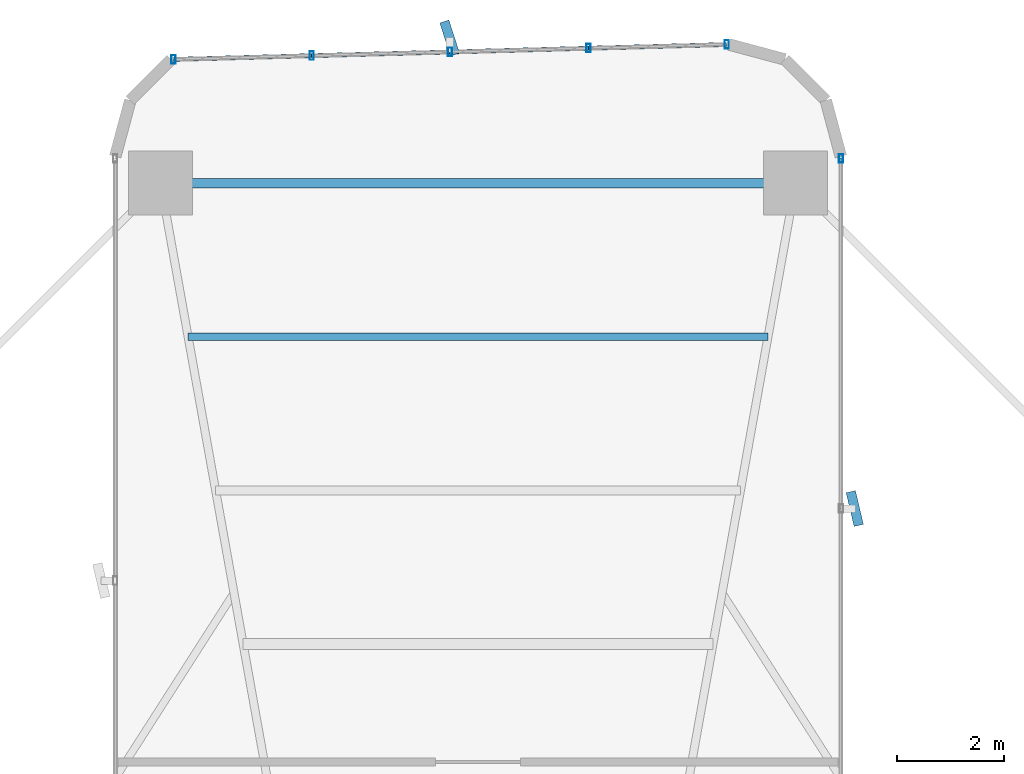
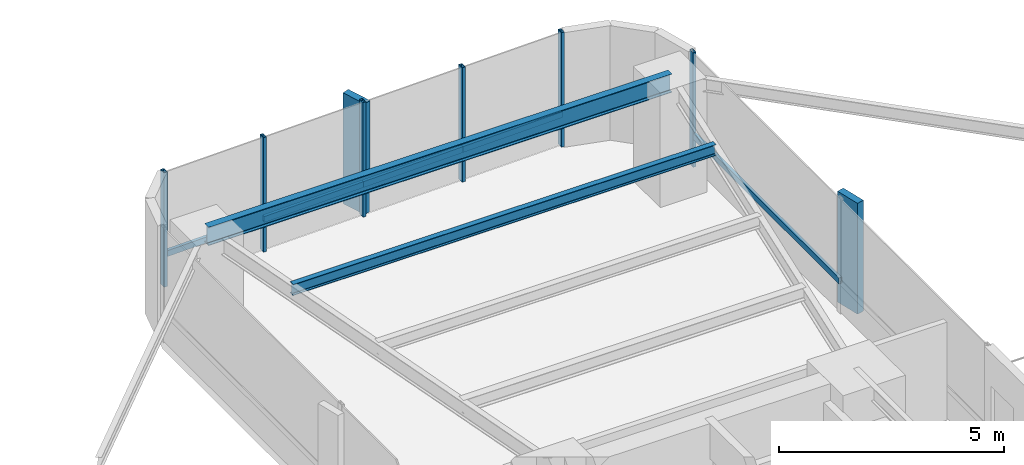
# One storey, part 19 of 25: 13 members, 2 beams, 2 elements without a shape of their own.
"""IFC4 building model written with IfcOpenShell, lengths in metres."""

from ifc_helpers import new_model, si_unit, direction, frame, origin, origin_2d, place, context, subcontext, project, spatial, rectangle, hollow_rectangle, i_section, extrude, source, transform, mapped, material, material_profile, profile_set, type_object, element, aggregate, save


model = new_model("IFC4")

# Units and contexts
model_context = context("Model", 3, precision=1e-05, world=origin(), true_north=direction((0.0, 1.0)))
body_context = subcontext(model_context, "Body", "Model", "MODEL_VIEW")
ifc_project = project(units=[si_unit("LENGTHUNIT", "METRE"), si_unit("AREAUNIT", "SQUARE_METRE"), si_unit("VOLUMEUNIT", "CUBIC_METRE"), si_unit("PLANEANGLEUNIT", "RADIAN"), si_unit("MASSUNIT", "GRAM", prefix="KILO")], contexts=[model_context])

# Site, building, storey
site_placement = place(None, origin())
site = spatial("IfcSite", under=ifc_project, at=site_placement, CompositionType="ELEMENT")
building_placement = place(site_placement, origin())
building = spatial("IfcBuilding", under=site, at=building_placement, Name="Sahyath Konkavel Grand Hotel", CompositionType="ELEMENT")
storey_placement = place(building_placement, frame((0.0, 0.0, 33.14990234375)))
storey = spatial("IfcBuildingStorey", under=building, at=storey_placement, Name="L08", CompositionType="ELEMENT", Elevation=33.14990234375)

# Beams
ifc_material_1 = material(Name="Steel E350", Category="steel")
ifc_material_profile_1 = material_profile(ifc_material_1, i_section(OverallWidth=0.179931640625, OverallDepth=0.5, WebThickness=0.01025390625, FlangeThickness=0.01708984375, FilletRadius=0.01708984375, at=origin_2d()), Name="ISMB 500")
ifc_profile_set_1 = profile_set([ifc_material_profile_1], Name="Steel E350")
beam_type_1 = type_object("IfcBeamType", Name="BM-ISMB500", PredefinedType="BEAM", material=ifc_profile_set_1)
shared_shape_1 = source(origin(), body_context, "Body", "SweptSolid", [
    extrude(i_section(OverallWidth=0.179931640625, OverallDepth=0.5, WebThickness=0.01025390625, FlangeThickness=0.01708984375, FilletRadius=0.01708984375, at=origin_2d()), origin(), (0.0, 0.0, 1.0), 11.89990234375),
])
beam_1_placement = place(storey_placement, frame((5.949951171875, 22.199951171875, 2.860107421875), z_axis=(-1.0, 0.0, 0.0), x_axis=(0.0, -1.0, 0.0)))
element("IfcBeam", 1, at=beam_1_placement, inside=storey, type_object=beam_type_1, Name="L08 Wing Tip Edge Beam N", PredefinedType="BEAM", context=body_context, shape_type="MappedRepresentation", body=[
    mapped(shared_shape_1, transform((0.0, 0.0, 0.0), scale=1.0)),
])
ifc_material_profile_2 = material_profile(ifc_material_1, i_section(OverallWidth=0.139892578125, OverallDepth=0.300048828125, WebThickness=0.0078125, FlangeThickness=0.01318359375, FilletRadius=0.013916015625, at=origin_2d()), Name="ISMB 300")
ifc_profile_set_2 = profile_set([ifc_material_profile_2], Name="Steel E350")
beam_type_2 = type_object("IfcBeamType", Name="BM-ISMB300", PredefinedType="BEAM", material=ifc_profile_set_2)
shared_shape_2 = source(origin(), body_context, "Body", "SweptSolid", [
    extrude(i_section(OverallWidth=0.139892578125, OverallDepth=0.300048828125, WebThickness=0.0078125, FlangeThickness=0.01318359375, FilletRadius=0.013916015625, at=origin_2d()), origin(), (0.0, 0.0, 1.0), 10.8681640625),
])
beam_2_placement = place(storey_placement, frame((5.43408203125, 19.320068359375, 2.960205078125), z_axis=(-1.0, 0.0, 0.0), x_axis=(0.0, -1.0, 0.0)))
element("IfcBeam", 2, at=beam_2_placement, inside=storey, type_object=beam_type_2, Name="L08 Secondary Floor Beam N-3", PredefinedType="BEAM", context=body_context, shape_type="MappedRepresentation", body=[
    mapped(shared_shape_2, transform((0.0, 0.0, 0.0), scale=1.0)),
])

# Curtain wall, member
ifc_material_2 = material(Name="Anodised Bronze Aluminium & Low-E Glazing", Category="aluminium")
curtain_wall_type = type_object("IfcCurtainWallType", Name="CW-ZONE1", PredefinedType="NOTDEFINED", material=ifc_material_2)
curtain_wall_1_placement = place(storey_placement, origin())
curtain_wall_1 = element("IfcCurtainWall", 3, at=curtain_wall_1_placement, inside=storey, type_object=curtain_wall_type, Name="L08 Unitised Curtain Wall F8", PredefinedType="NOTDEFINED")
ifc_material_3 = material(Name="Warm Buff Sandstone Cladding on Concrete C50/60", Category="masonry")
ifc_material_profile_3 = material_profile(ifc_material_3, rectangle(XDim=0.179931640625, YDim=0.64990234375, at=origin_2d()), Name="FIN 180x650")
ifc_profile_set_3 = profile_set([ifc_material_profile_3], Name="Warm Buff Sandstone Cladding on Concrete C50/60")
member_type_1 = type_object("IfcMemberType", Name="FIN-SANDSTONE-650", PredefinedType="MULLION", material=ifc_profile_set_3)
shared_shape_3 = source(origin(), body_context, "Body", "SweptSolid", [
    extrude(rectangle(XDim=0.179931640625, YDim=0.64990234375, at=origin_2d()), origin(), (0.0, 0.0, 1.0), 3.010009765625),
])
member_1_placement = place(storey_placement, frame((7.06005859375, 16.10009765625, 0.050048828125), z_axis=(0.0, 0.0, 1.0), x_axis=(0.973138706701, 0.230219585439, 0.0)))
member_1 = element("IfcMember", 4, at=member_1_placement, type_object=member_type_1, Name="L08 Sandstone Vertical Solar Fin FIN F8-1", PredefinedType="MULLION", context=body_context, shape_type="MappedRepresentation", body=[
    mapped(shared_shape_3, transform((0.0, 0.0, 0.0), scale=1.0)),
])

# Curtain wall, members
curtain_wall_2_placement = place(storey_placement, origin())
curtain_wall_2 = element("IfcCurtainWall", 5, at=curtain_wall_2_placement, inside=storey, type_object=curtain_wall_type, Name="L08 Unitised Curtain Wall F12", PredefinedType="NOTDEFINED")
member_2_placement = place(storey_placement, frame((-0.531982421875, 24.919189453125, 0.050048828125), z_axis=(0.0, 0.0, 1.0), x_axis=(0.951164325631, 0.308684994204, 0.0)))
member_2 = element("IfcMember", 6, at=member_2_placement, type_object=member_type_1, Name="L08 Sandstone Vertical Solar Fin FIN F12-2", PredefinedType="MULLION", context=body_context, shape_type="MappedRepresentation", body=[
    mapped(shared_shape_3, transform((0.0, 0.0, 0.0), scale=1.0)),
])
ifc_material_4 = material(Name="Anodised Bronze Aluminium", Category="aluminium")
ifc_material_profile_4 = material_profile(ifc_material_4, hollow_rectangle(XDim=0.080078125, YDim=0.159912109375, WallThickness=0.006103515625, at=origin_2d()), Name="RHS 160x80x6")
ifc_profile_set_4 = profile_set([ifc_material_profile_4], Name="Anodised Bronze Aluminium")
member_type_2 = type_object("IfcMemberType", Name="CW-TRN-160", PredefinedType="USERDEFINED", material=ifc_profile_set_4)
shared_shape_4 = source(origin(), body_context, "Body", "SweptSolid", [
    extrude(hollow_rectangle(XDim=0.080078125, YDim=0.159912109375, WallThickness=0.006103515625, at=origin_2d()), origin(), (0.0, 0.0, 1.0), 2.593505859375),
])
member_3_placement = place(storey_placement, frame((4.659912109375, 24.798828125, 0.85009765625), z_axis=(-0.999637507825, -0.026923093252, 0.0), x_axis=(0.026923093252, -0.999637507825, 0.0)))
member_3 = element("IfcMember", 7, at=member_3_placement, type_object=member_type_2, Name="L08 Curtain Wall Transom F12-0-spandrel", ObjectType="TRANSOM", PredefinedType="USERDEFINED", context=body_context, shape_type="MappedRepresentation", body=[
    mapped(shared_shape_4, transform((0.0, 0.0, 0.0), scale=1.0)),
])
member_4_placement = place(storey_placement, frame((-0.52490234375, 24.6591796875, 0.85009765625), z_axis=(-0.999640036937, -0.02682902444, 0.0), x_axis=(0.02682902444, -0.999640036937, 0.0)))
member_4 = element("IfcMember", 8, at=member_4_placement, type_object=member_type_2, Name="L08 Curtain Wall Transom F12-2-spandrel", ObjectType="TRANSOM", PredefinedType="USERDEFINED", context=body_context, shape_type="MappedRepresentation", body=[
    mapped(shared_shape_4, transform((0.0, 0.0, 0.0), scale=1.0)),
])
member_5_placement = place(storey_placement, frame((-3.117431640625, 24.589599609375, 0.85009765625), z_axis=(-0.999637507825, -0.026923093252, 0.0), x_axis=(0.026923093252, -0.999637507825, 0.0)))
member_5 = element("IfcMember", 9, at=member_5_placement, type_object=member_type_2, Name="L08 Curtain Wall Transom F12-3-spandrel", ObjectType="TRANSOM", PredefinedType="USERDEFINED", context=body_context, shape_type="MappedRepresentation", body=[
    mapped(shared_shape_4, transform((0.0, 0.0, 0.0), scale=1.0)),
])
shared_shape_5 = source(origin(), body_context, "Body", "SweptSolid", [
    extrude(hollow_rectangle(XDim=0.080078125, YDim=0.159912109375, WallThickness=0.006103515625, at=origin_2d()), origin(), (0.0, 0.0, 1.0), 2.59326171875),
])
member_6_placement = place(storey_placement, frame((2.0673828125, 24.72900390625, 0.85009765625), z_axis=(-0.99963743958, -0.026925627022, 0.0), x_axis=(0.026925627022, -0.99963743958, 0.0)))
member_6 = element("IfcMember", 10, at=member_6_placement, type_object=member_type_2, Name="L08 Curtain Wall Transom F12-1-spandrel", ObjectType="TRANSOM", PredefinedType="USERDEFINED", context=body_context, shape_type="MappedRepresentation", body=[
    mapped(shared_shape_5, transform((0.0, 0.0, 0.0), scale=1.0)),
])

# Member
ifc_material_profile_5 = material_profile(ifc_material_4, hollow_rectangle(XDim=0.080078125, YDim=0.159912109375, WallThickness=0.006103515625, at=origin_2d()), Name="RHS 160x80x6")
ifc_profile_set_5 = profile_set([ifc_material_profile_5], Name="Anodised Bronze Aluminium")
member_type_3 = type_object("IfcMemberType", Name="CW-MUL-160", PredefinedType="MULLION", material=ifc_profile_set_5)
shared_shape_6 = source(origin(), body_context, "Body", "SweptSolid", [
    extrude(hollow_rectangle(XDim=0.080078125, YDim=0.159912109375, WallThickness=0.006103515625, at=origin_2d()), origin(), (0.0, 0.0, 1.0), 3.110107421875),
])
member_7_placement = place(storey_placement, frame((6.800048828125, 22.659912109375, 0.0), z_axis=(0.0, 0.0, 1.0), x_axis=(1.0, 0.0, 0.0)))
member_7 = element("IfcMember", 11, at=member_7_placement, type_object=member_type_3, Name="L08 Curtain Wall Mullion F8-2", PredefinedType="MULLION", context=body_context, shape_type="MappedRepresentation", body=[
    mapped(shared_shape_6, transform((0.0, 0.0, 0.0), scale=1.0)),
])

member_8_placement = place(storey_placement, frame((4.659912109375, 24.798828125, 0.0), z_axis=(0.0, 0.0, 1.0), x_axis=(1.0, 0.0, 0.0)))
member_8 = element("IfcMember", 12, at=member_8_placement, type_object=member_type_3, Name="L08 Curtain Wall Mullion F12-0", PredefinedType="MULLION", context=body_context, shape_type="MappedRepresentation", body=[
    mapped(shared_shape_6, transform((0.0, 0.0, 0.0), scale=1.0)),
])

member_9_placement = place(storey_placement, frame((2.0673828125, 24.72900390625, 0.0), z_axis=(0.0, 0.0, 1.0), x_axis=(1.0, 0.0, 0.0)))
member_9 = element("IfcMember", 13, at=member_9_placement, type_object=member_type_3, Name="L08 Curtain Wall Mullion F12-1", PredefinedType="MULLION", context=body_context, shape_type="MappedRepresentation", body=[
    mapped(shared_shape_6, transform((0.0, 0.0, 0.0), scale=1.0)),
])

member_10_placement = place(storey_placement, frame((-0.52490234375, 24.6591796875, 0.0), z_axis=(0.0, 0.0, 1.0), x_axis=(1.0, 0.0, 0.0)))
member_10 = element("IfcMember", 14, at=member_10_placement, type_object=member_type_3, Name="L08 Curtain Wall Mullion F12-2", PredefinedType="MULLION", context=body_context, shape_type="MappedRepresentation", body=[
    mapped(shared_shape_6, transform((0.0, 0.0, 0.0), scale=1.0)),
])

member_11_placement = place(storey_placement, frame((-3.117431640625, 24.589599609375, 0.0), z_axis=(0.0, 0.0, 1.0), x_axis=(1.0, 0.0, 0.0)))
member_11 = element("IfcMember", 15, at=member_11_placement, type_object=member_type_3, Name="L08 Curtain Wall Mullion F12-3", PredefinedType="MULLION", context=body_context, shape_type="MappedRepresentation", body=[
    mapped(shared_shape_6, transform((0.0, 0.0, 0.0), scale=1.0)),
])

member_12_placement = place(storey_placement, frame((-5.7099609375, 24.519775390625, 0.0), z_axis=(0.0, 0.0, 1.0), x_axis=(1.0, 0.0, 0.0)))
member_12 = element("IfcMember", 16, at=member_12_placement, type_object=member_type_3, Name="L08 Curtain Wall Mullion F12-4", PredefinedType="MULLION", context=body_context, shape_type="MappedRepresentation", body=[
    mapped(shared_shape_6, transform((0.0, 0.0, 0.0), scale=1.0)),
])

aggregate(curtain_wall_2, [member_8, member_9, member_10, member_2, member_11, member_12, member_3, member_6, member_4, member_5])

shared_shape_7 = source(origin(), body_context, "Body", "SweptSolid", [
    extrude(hollow_rectangle(XDim=0.080078125, YDim=0.159912109375, WallThickness=0.006103515625, at=origin_2d()), origin(), (0.0, 0.0, 1.0), 6.559814453125),
])
member_13_placement = place(storey_placement, frame((6.800048828125, 16.10009765625, 0.85009765625), z_axis=(0.0, 1.0, 0.0), x_axis=(-1.0, 0.0, 0.0)))
member_13 = element("IfcMember", 17, at=member_13_placement, type_object=member_type_2, Name="L08 Curtain Wall Transom F8-1-spandrel", ObjectType="TRANSOM", PredefinedType="USERDEFINED", context=body_context, shape_type="MappedRepresentation", body=[
    mapped(shared_shape_7, transform((0.0, 0.0, 0.0), scale=1.0)),
])

aggregate(curtain_wall_1, [member_1, member_7, member_13])

save(model, "model.ifc")
